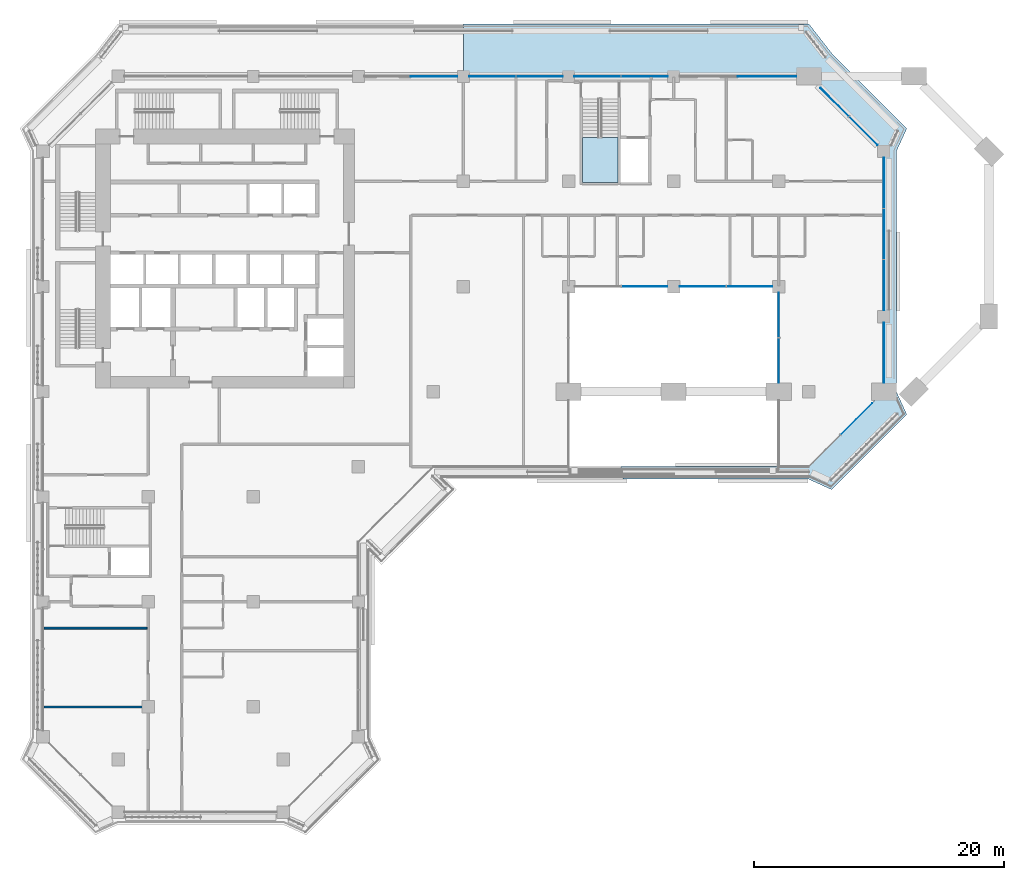
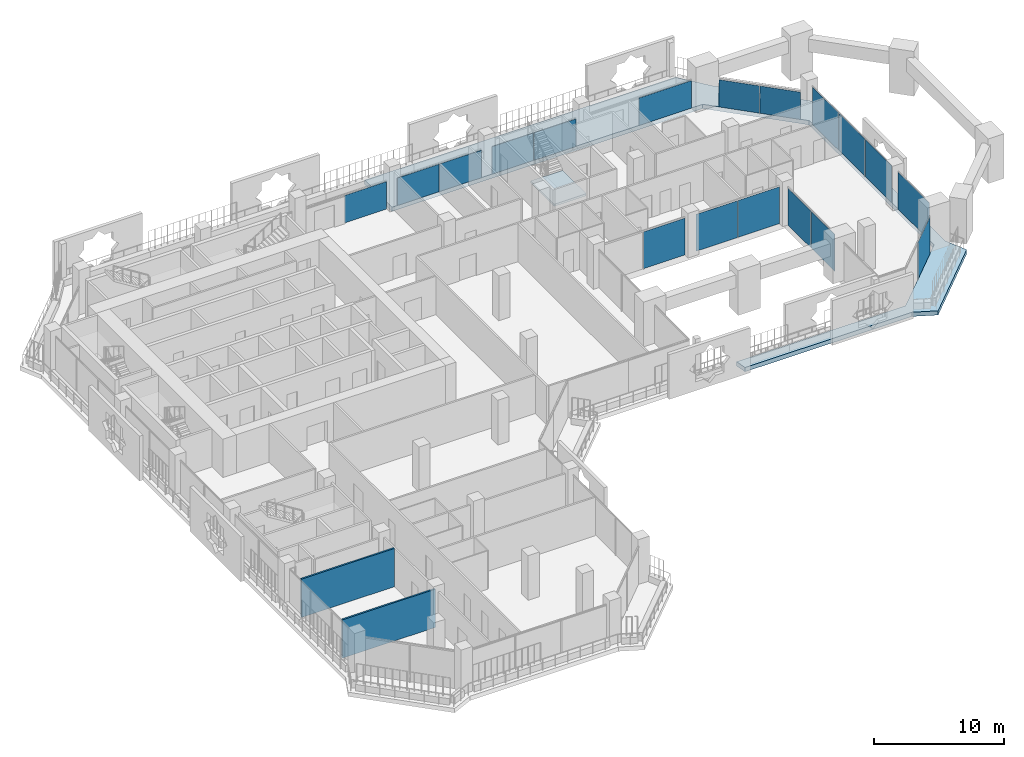
# One storey, part 10 of 23: 18 plates, 2 slabs, 2 walls, 7 elements without a shape of their own.
"""IFC4 building model written with IfcOpenShell, lengths in metres."""

from ifc_helpers import new_model, si_unit, direction, frame, frame_2d, origin, origin_2d, place, context, subcontext, project, spatial, polyline, rectangle, outline, extrude, material, layer, layer_set, type_object, element, aggregate, save


model = new_model("IFC4")

# Units and contexts
model_context = context("Model", 3, precision=1e-05, world=origin(), true_north=direction((0.0, 1.0)))
body_context = subcontext(model_context, "Body", "Model", "MODEL_VIEW")
ifc_project = project(units=[si_unit("LENGTHUNIT", "METRE"), si_unit("AREAUNIT", "SQUARE_METRE"), si_unit("VOLUMEUNIT", "CUBIC_METRE"), si_unit("PLANEANGLEUNIT", "RADIAN"), si_unit("MASSUNIT", "GRAM", prefix="KILO")], contexts=[model_context])

# Site, building, storey
site_placement = place(None, origin())
site = spatial("IfcSite", under=ifc_project, at=site_placement, CompositionType="ELEMENT")
building_placement = place(site_placement, origin())
building = spatial("IfcBuilding", under=site, at=building_placement, Name="Kawkab Arch Medical Tower", CompositionType="ELEMENT")
storey_placement = place(building_placement, frame((0.0, 0.0, 166.800048828125)))
storey = spatial("IfcBuildingStorey", under=building, at=storey_placement, Name="L38", CompositionType="ELEMENT", Elevation=166.800048828125)

# Curtain wall, plates
ifc_material_1 = material(Name="Bronze anodised aluminium curtain wall frame", Category="aluminium")
ifc_layer_1 = layer(ifc_material_1, 0.159912109375)
ifc_layer_set_1 = layer_set([ifc_layer_1], Name="Bronze anodised aluminium curtain wall frame")
curtain_wall_type_1 = type_object("IfcCurtainWallType", Name="CW1 ward curtain wall", PredefinedType="NOTDEFINED", material=ifc_layer_set_1)
placement = place(storey_placement, origin())
curtain_wall_1 = element("IfcCurtainWall", 1, at=placement, inside=storey, type_object=curtain_wall_type_1, Name="CW1 Ward curtain wall R07", PredefinedType="NOTDEFINED")
ifc_material_2 = material(Name="Tinted insulating glass, bronze low-e coating", Category="glass")
ifc_layer_2 = layer(ifc_material_2, 0.031982421875)
ifc_layer_set_2 = layer_set([ifc_layer_2], Name="Tinted insulating glass, bronze low-e coating")
plate_type_1 = type_object("IfcPlateType", Name="CW1 glazing unit 32", PredefinedType="CURTAIN_PANEL", material=ifc_layer_set_2)
plate_1_placement = place(storey_placement, frame((67.199951171875, -22.10009765625, 0.0), z_axis=(0.0, 0.0, 1.0), x_axis=(0.0, 1.0, 0.0)))
plate_1 = element("IfcPlate", 2, at=plate_1_placement, type_object=plate_type_1, Name="CW1 glazing unit 1.1", PredefinedType="CURTAIN_PANEL", context=body_context, shape_type="SweptSolid", body=[
    extrude(rectangle(XDim=4.800048828125, YDim=0.031982421875, at=origin_2d()), origin(), (0.0, 0.0, 1.0), 3.47998046875),
])
plate_2_placement = place(storey_placement, frame((67.199951171875, -16.681640625, 0.0), z_axis=(0.0, 0.0, 1.0), x_axis=(0.0, 1.0, 0.0)))
plate_2 = element("IfcPlate", 3, at=plate_2_placement, type_object=plate_type_1, Name="CW1 glazing unit 2.1", PredefinedType="CURTAIN_PANEL", context=body_context, shape_type="SweptSolid", body=[
    extrude(rectangle(XDim=4.03662109375, YDim=0.031982421875, at=origin_2d()), origin(), (0.0, 0.0, 1.0), 3.47998046875),
])
plate_3_placement = place(storey_placement, frame((67.199951171875, -12.60009765625, 0.0), z_axis=(0.0, 0.0, 1.0), x_axis=(0.0, 1.0, 0.0)))
plate_3 = element("IfcPlate", 4, at=plate_3_placement, type_object=plate_type_1, Name="CW1 glazing unit 2.2", PredefinedType="CURTAIN_PANEL", context=body_context, shape_type="SweptSolid", body=[
    extrude(rectangle(XDim=4.006591796875, YDim=0.031982421875, at=origin_2d()), origin(), (0.0, 0.0, 1.0), 3.47998046875),
])
plate_4_placement = place(storey_placement, frame((67.199951171875, -8.518310546875, 0.0), z_axis=(0.0, 0.0, 1.0), x_axis=(0.0, 1.0, 0.0)))
plate_4 = element("IfcPlate", 5, at=plate_4_placement, type_object=plate_type_1, Name="CW1 glazing unit 2.3", PredefinedType="CURTAIN_PANEL", context=body_context, shape_type="SweptSolid", body=[
    extrude(rectangle(XDim=4.03662109375, YDim=0.031982421875, at=origin_2d()), origin(), (0.0, 0.0, 1.0), 3.47998046875),
])
aggregate(curtain_wall_1, [plate_1, plate_2, plate_3, plate_4])

curtain_wall_2 = element("IfcCurtainWall", 6, at=placement, inside=storey, type_object=curtain_wall_type_1, Name="CW1 Ward curtain wall R09", PredefinedType="NOTDEFINED")
plate_5_placement = place(storey_placement, frame((57.86865234375, 0.0, 0.0), z_axis=(0.0, 0.0, 1.0), x_axis=(-1.0, 0.0, 0.0)))
plate_5 = element("IfcPlate", 7, at=plate_5_placement, type_object=plate_type_1, Name="CW1 glazing unit 1.1", PredefinedType="CURTAIN_PANEL", context=body_context, shape_type="SweptSolid", body=[
    extrude(rectangle(XDim=4.66259765625, YDim=0.031982421875, at=origin_2d()), origin(), (0.0, 0.0, 1.0), 2.580078125),
])
plate_6_placement = place(storey_placement, frame((48.077392578125, 0.0, 0.0), z_axis=(0.0, 0.0, 1.0), x_axis=(-1.0, 0.0, 0.0)))
plate_6 = element("IfcPlate", 8, at=plate_6_placement, type_object=plate_type_1, Name="CW1 glazing unit 2.1", PredefinedType="CURTAIN_PANEL", context=body_context, shape_type="SweptSolid", body=[
    extrude(rectangle(XDim=3.695068359375, YDim=0.031982421875, at=origin_2d()), origin(), (0.0, 0.0, 1.0), 2.580078125),
])
plate_7_placement = place(storey_placement, frame((44.322509765625, 0.0, 0.0), z_axis=(0.0, 0.0, 1.0), x_axis=(-1.0, 0.0, 0.0)))
plate_7 = element("IfcPlate", 9, at=plate_7_placement, type_object=plate_type_1, Name="CW1 glazing unit 2.2", PredefinedType="CURTAIN_PANEL", context=body_context, shape_type="SweptSolid", body=[
    extrude(rectangle(XDim=3.695068359375, YDim=0.031982421875, at=origin_2d()), origin(), (0.0, 0.0, 1.0), 2.580078125),
])
plate_8_placement = place(storey_placement, frame((39.677490234375, 0.0, 0.0), z_axis=(0.0, 0.0, 1.0), x_axis=(-1.0, 0.0, 0.0)))
plate_8 = element("IfcPlate", 10, at=plate_8_placement, type_object=plate_type_1, Name="CW1 glazing unit 3.1", PredefinedType="CURTAIN_PANEL", context=body_context, shape_type="SweptSolid", body=[
    extrude(rectangle(XDim=3.695068359375, YDim=0.031982421875, at=origin_2d()), origin(), (0.0, 0.0, 1.0), 2.580078125),
])
plate_9_placement = place(storey_placement, frame((35.922607421875, 0.0, 0.0), z_axis=(0.0, 0.0, 1.0), x_axis=(-1.0, 0.0, 0.0)))
plate_9 = element("IfcPlate", 11, at=plate_9_placement, type_object=plate_type_1, Name="CW1 glazing unit 3.2", PredefinedType="CURTAIN_PANEL", context=body_context, shape_type="SweptSolid", body=[
    extrude(rectangle(XDim=3.695068359375, YDim=0.031982421875, at=origin_2d()), origin(), (0.0, 0.0, 1.0), 2.580078125),
])
plate_10_placement = place(storey_placement, frame((31.262451171875, 0.0, 0.0), z_axis=(0.0, 0.0, 1.0), x_axis=(-1.0, 0.0, 0.0)))
plate_10 = element("IfcPlate", 12, at=plate_10_placement, type_object=plate_type_1, Name="CW1 glazing unit 4.1", PredefinedType="CURTAIN_PANEL", context=body_context, shape_type="SweptSolid", body=[
    extrude(rectangle(XDim=3.72509765625, YDim=0.031982421875, at=origin_2d()), origin(), (0.0, 0.0, 1.0), 2.580078125),
])
aggregate(curtain_wall_2, [plate_5, plate_6, plate_7, plate_8, plate_9, plate_10])

# Curtain wall, plate
ifc_material_3 = material(Name="Bronze anodised aluminium curtain wall frame", Category="aluminium")
ifc_layer_3 = layer(ifc_material_3, 0.159912109375)
ifc_layer_set_3 = layer_set([ifc_layer_3], Name="Bronze anodised aluminium curtain wall frame")
curtain_wall_type_2 = type_object("IfcCurtainWallType", Name="CW2 chamfer curtain wall", PredefinedType="NOTDEFINED", material=ifc_layer_set_3)
curtain_wall_3 = element("IfcCurtainWall", 13, at=placement, inside=storey, type_object=curtain_wall_type_2, Name="CW2 Chamfer curtain wall R06", PredefinedType="NOTDEFINED")
ifc_material_4 = material(Name="Tinted insulating glass, bronze low-e coating", Category="glass")
ifc_layer_4 = layer(ifc_material_4, 0.031982421875)
ifc_layer_set_4 = layer_set([ifc_layer_4], Name="Tinted insulating glass, bronze low-e coating")
plate_type_2 = type_object("IfcPlateType", Name="CW2 glazing unit 32", PredefinedType="CURTAIN_PANEL", material=ifc_layer_set_4)
plate_11_placement = place(storey_placement, frame((65.012939453125, -27.38720703125, 0.0), z_axis=(0.0, 0.0, 1.0), x_axis=(0.707106781187, 0.707106781187, 0.0)))
plate_11 = element("IfcPlate", 14, at=plate_11_placement, type_object=plate_type_2, Name="CW2 glazing unit 1.2", PredefinedType="CURTAIN_PANEL", context=body_context, shape_type="SweptSolid", body=[
    extrude(rectangle(XDim=3.5546875, YDim=0.031982421875, at=origin_2d()), origin(), (0.0, 0.0, 1.0), 3.4599609375),
])
aggregate(curtain_wall_3, [plate_11])

# Curtain wall, plates
curtain_wall_4 = element("IfcCurtainWall", 15, at=placement, inside=storey, type_object=curtain_wall_type_2, Name="CW2 Chamfer curtain wall R08", PredefinedType="NOTDEFINED")
plate_12_placement = place(storey_placement, frame((65.568115234375, -4.3681640625, 0.0), z_axis=(0.0, 0.0, 1.0), x_axis=(-0.707106781187, 0.707106781187, 0.0)))
plate_12 = element("IfcPlate", 16, at=plate_12_placement, type_object=plate_type_2, Name="CW2 glazing unit 1.1", PredefinedType="CURTAIN_PANEL", context=body_context, shape_type="SweptSolid", body=[
    extrude(rectangle(XDim=3.201171875, YDim=0.031982421875, at=origin_2d()), origin(), (0.0, 0.0, 1.0), 2.56005859375),
])
plate_13_placement = place(storey_placement, frame((63.26220703125, -2.062255859375, 0.0), z_axis=(0.0, 0.0, 1.0), x_axis=(-0.707106781187, 0.707106781187, 0.0)))
plate_13 = element("IfcPlate", 17, at=plate_13_placement, type_object=plate_type_2, Name="CW2 glazing unit 1.2", PredefinedType="CURTAIN_PANEL", context=body_context, shape_type="SweptSolid", body=[
    extrude(rectangle(XDim=3.201171875, YDim=0.031982421875, at=origin_2d()), origin(), (0.0, 0.0, 1.0), 2.56005859375),
])
aggregate(curtain_wall_4, [plate_12, plate_13])

ifc_material_5 = material(Name="Bronze anodised aluminium curtain wall frame", Category="aluminium")
ifc_layer_5 = layer(ifc_material_5, 0.159912109375)
ifc_layer_set_5 = layer_set([ifc_layer_5], Name="Bronze anodised aluminium curtain wall frame")
curtain_wall_type_3 = type_object("IfcCurtainWallType", Name="CW3 sky garden curtain wall", PredefinedType="NOTDEFINED", material=ifc_layer_set_5)
curtain_wall_5 = element("IfcCurtainWall", 18, at=placement, inside=storey, type_object=curtain_wall_type_3, Name="CW3 Sky garden curtain wall R03", PredefinedType="NOTDEFINED")
ifc_material_6 = material(Name="Tinted laminated insulating glass, grey-green", Category="glass")
ifc_layer_6 = layer(ifc_material_6, 0.035888671875)
ifc_layer_set_6 = layer_set([ifc_layer_6], Name="Tinted laminated insulating glass, grey-green")
plate_type_3 = type_object("IfcPlateType", Name="CW3 glazing unit 36", PredefinedType="CURTAIN_PANEL", material=ifc_layer_set_6)
plate_14_placement = place(storey_placement, frame((48.0673828125, -16.800048828125, 0.0), z_axis=(0.0, 0.0, 1.0), x_axis=(1.0, 0.0, 0.0)))
plate_14 = element("IfcPlate", 19, at=plate_14_placement, type_object=plate_type_3, Name="CW3 glazing unit 1.2", PredefinedType="CURTAIN_PANEL", context=body_context, shape_type="SweptSolid", body=[
    extrude(rectangle(XDim=3.6650390625, YDim=0.035888671875, at=origin_2d()), origin(), (0.0, 0.0, 1.0), 3.4599609375),
])
plate_15_placement = place(storey_placement, frame((52.732421875, -16.800048828125, 0.0), z_axis=(0.0, 0.0, 1.0), x_axis=(1.0, 0.0, 0.0)))
plate_15 = element("IfcPlate", 20, at=plate_15_placement, type_object=plate_type_3, Name="CW3 glazing unit 2.1", PredefinedType="CURTAIN_PANEL", context=body_context, shape_type="SweptSolid", body=[
    extrude(rectangle(XDim=3.6650390625, YDim=0.035888671875, at=origin_2d()), origin(), (0.0, 0.0, 1.0), 3.4599609375),
])
plate_16_placement = place(storey_placement, frame((56.467529296875, -16.800048828125, 0.0), z_axis=(0.0, 0.0, 1.0), x_axis=(1.0, 0.0, 0.0)))
plate_16 = element("IfcPlate", 21, at=plate_16_placement, type_object=plate_type_3, Name="CW3 glazing unit 2.2", PredefinedType="CURTAIN_PANEL", context=body_context, shape_type="SweptSolid", body=[
    extrude(rectangle(XDim=3.6650390625, YDim=0.035888671875, at=origin_2d()), origin(), (0.0, 0.0, 1.0), 3.4599609375),
])
aggregate(curtain_wall_5, [plate_14, plate_15, plate_16])

curtain_wall_6 = element("IfcCurtainWall", 22, at=placement, inside=storey, type_object=curtain_wall_type_3, Name="CW3 Sky garden curtain wall R04", PredefinedType="NOTDEFINED")
plate_17_placement = place(storey_placement, frame((58.800048828125, -19.08251953125, 0.0), z_axis=(0.0, 0.0, 1.0), x_axis=(0.0, -1.0, 0.0)))
plate_17 = element("IfcPlate", 23, at=plate_17_placement, type_object=plate_type_3, Name="CW3 glazing unit 1.1", PredefinedType="CURTAIN_PANEL", context=body_context, shape_type="SweptSolid", body=[
    extrude(rectangle(XDim=3.56494140625, YDim=0.035888671875, at=origin_2d()), origin(), (0.0, 0.0, 1.0), 3.4599609375),
])
plate_18_placement = place(storey_placement, frame((58.800048828125, -22.717529296875, 0.0), z_axis=(0.0, 0.0, 1.0), x_axis=(0.0, -1.0, 0.0)))
plate_18 = element("IfcPlate", 24, at=plate_18_placement, type_object=plate_type_3, Name="CW3 glazing unit 1.2", PredefinedType="CURTAIN_PANEL", context=body_context, shape_type="SweptSolid", body=[
    extrude(rectangle(XDim=3.56494140625, YDim=0.035888671875, at=origin_2d()), origin(), (0.0, 0.0, 1.0), 3.4599609375),
])
aggregate(curtain_wall_6, [plate_17, plate_18])

# Stair, slab
ifc_material_7 = material(Name="Concrete C40/50", Category="concrete")
stair_type = type_object("IfcStairType", Name="Exit stair 1350", PredefinedType="HALF_TURN_STAIR", material=ifc_material_7)
stair = element("IfcStair", 25, at=placement, inside=storey, type_object=stair_type, Name="L38 Exit stair ST5", PredefinedType="HALF_TURN_STAIR")
ifc_material_8 = material(Name="Concrete C40/50", Category="concrete")
ifc_layer_7 = layer(ifc_material_8, 0.199951171875)
ifc_layer_set_7 = layer_set([ifc_layer_7], Name="Concrete C40/50")
slab_type_1 = type_object("IfcSlabType", Name="Exit stair landing 200", PredefinedType="LANDING", material=ifc_layer_set_7)
slab_1_placement = place(storey_placement, frame((0.0, 0.0, 1.89990234375)))
slab_1 = element("IfcSlab", 26, at=slab_1_placement, type_object=slab_type_1, Name="ST5 landing 1", PredefinedType="LANDING", context=body_context, shape_type="SweptSolid", body=[
    extrude(outline(polyline([(43.10009765625, -4.8798828125), (43.10009765625, -8.5), (45.949951171875, -8.5), (45.949951171875, -4.8798828125), (43.10009765625, -4.8798828125)])), origin(), (0.0, 0.0, 1.0), 0.199951171875),
])
aggregate(stair, [slab_1])

# Slab
ifc_material_9 = material(Name="Concrete C40/50", Category="concrete")
ifc_layer_8 = layer(ifc_material_9, 0.39990234375)
ifc_layer_set_8 = layer_set([ifc_layer_8], Name="Concrete C40/50")
slab_type_2 = type_object("IfcSlabType", Name="Loggia slab 400", PredefinedType="FLOOR", material=ifc_layer_set_8)
slab_2_placement = place(storey_placement, frame((0.0, 0.0, -0.400146484375)))
element("IfcSlab", 27, at=slab_2_placement, inside=storey, type_object=slab_type_2, Name="Loggia slab L38.5", PredefinedType="FLOOR", context=body_context, shape_type="SweptSolid", body=[
    extrude(outline(polyline([(33.60107421875, 0.0009765625), (33.60107421875, 0.001953125), (33.60009765625, 0.001953125), (33.60009765625, 4.198974609375), (33.60107421875, 4.198974609375), (33.60107421875, 4.199951171875), (61.198974609375, 4.199951171875), (61.198974609375, 4.198974609375), (61.200927734375, 4.198974609375), (63.0380859375, 1.837890625), (69.0380859375, -4.1630859375), (68.199951171875, -6.0), (68.199951171875, -25.199951171875), (69.0380859375, -27.037109375), (63.037109375, -33.0380859375), (61.199951171875, -32.199951171875), (46.367919921875, -32.199951171875), (46.367919921875, -32.198974609375), (46.366943359375, -32.198974609375), (46.199951171875, -31.200927734375), (46.200927734375, -31.200927734375), (46.200927734375, -31.199951171875), (61.199951171875, -31.199951171875), (67.200927734375, -25.199951171875), (67.200927734375, -6.0), (61.199951171875, 0.0009765625), (33.60107421875, 0.0009765625)])), origin(), (0.0, 0.0, 1.0), 0.400146484375),
])

# Walls
ifc_material_10 = material(Name="Gypsum board partition on steel studs, mineral wool", Category="steel")
ifc_layer_9 = layer(ifc_material_10, 0.14990234375)
ifc_layer_set_9 = layer_set([ifc_layer_9], Name="Gypsum board partition on steel studs, mineral wool")
wall_type = type_object("IfcWallType", Name="Partition 150", PredefinedType="PARTITIONING", material=ifc_layer_set_9)
for number, where, z_axis, x_axis, name in (
    (28, (0.080078125, -50.39990234375, 0.0), (0.0, 0.0, 1.0), (1.0, 0.0, 0.0), "Partition 150 w016"),
    (29, (0.080078125, -44.10009765625, 0.0), (0.0, 0.0, 1.0), (1.0, 0.0, 0.0), "Partition 150 w018"),
):
    element("IfcWall", number, at=place(storey_placement, frame(where, z_axis=z_axis, x_axis=x_axis)), inside=storey, type_object=wall_type, Name=name, PredefinedType="PARTITIONING", context=body_context, shape_type="SweptSolid", body=[
        extrude(rectangle(XDim=8.244873046875, YDim=0.14990234375, at=frame_2d((4.12255859375, 0.0))), origin(), (0.0, 0.0, 1.0), 3.599853515625),
    ])

save(model, "model.ifc")
